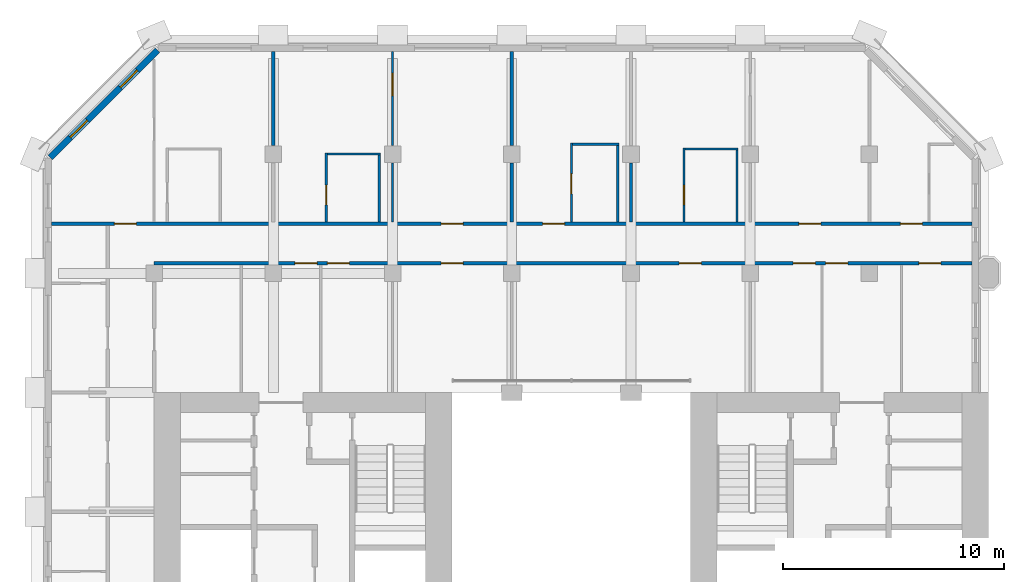
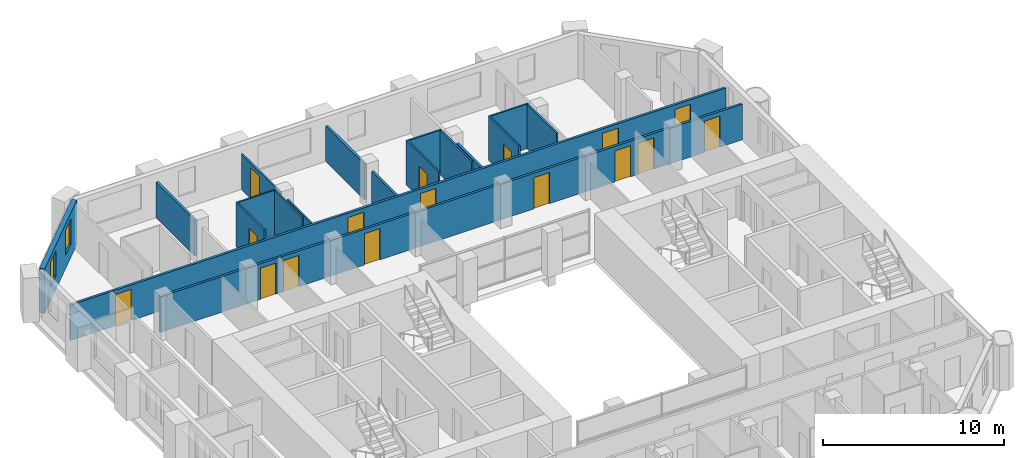
# One storey, part 10 of 13: 18 walls, 16 doors, 2 windows, 18 openings.
"""IFC4 building model written with IfcOpenShell, lengths in metres."""

from ifc_helpers import new_model, si_unit, direction, frame, frame_2d, origin, place, context, subcontext, project, spatial, rectangle, extrude, material, layer, layer_set, type_object, element, fill, save


model = new_model("IFC4")

# Units and contexts
model_context = context("Model", 3, precision=1e-05, world=origin(), true_north=direction((0.0, 1.0)))
body_context = subcontext(model_context, "Body", "Model", "MODEL_VIEW")
ifc_project = project(units=[si_unit("LENGTHUNIT", "METRE"), si_unit("AREAUNIT", "SQUARE_METRE"), si_unit("VOLUMEUNIT", "CUBIC_METRE"), si_unit("PLANEANGLEUNIT", "RADIAN"), si_unit("MASSUNIT", "GRAM", prefix="KILO")], contexts=[model_context])

# Site, building, storey
site_placement = place(None, origin())
site = spatial("IfcSite", under=ifc_project, at=site_placement, CompositionType="ELEMENT")
building_placement = place(site_placement, origin())
building = spatial("IfcBuilding", under=site, at=building_placement, Name="Tabaq Tower and Sports Hall", CompositionType="ELEMENT")
storey_placement = place(building_placement, frame((0.0, 0.0, 210.39990234375)))
storey = spatial("IfcBuildingStorey", under=building, at=storey_placement, Name="L52", CompositionType="ELEMENT", Elevation=210.39990234375)

# Wall, opening, door
ifc_material_1 = material(Name="Gypsum board on steel studs", Category="steel")
ifc_layer_1 = layer(ifc_material_1, 0.10009765625)
ifc_layer_set_1 = layer_set([ifc_layer_1], Name="Partition 100 Gypsum board")
wall_type_1 = type_object("IfcWallType", Name="Partition 100 Gypsum board", PredefinedType="PARTITIONING", material=ifc_layer_set_1)
wall_1_placement = place(storey_placement, frame((29.39990234375, 40.125, 0.0), z_axis=(0.0, 0.0, 1.0), x_axis=(0.0, 1.0, 0.0)))
wall_1 = element("IfcWall", 1, at=wall_1_placement, inside=storey, type_object=wall_type_1, Name="Partition wall L52", PredefinedType="PARTITIONING", context=body_context, shape_type="SweptSolid", body=[
    extrude(rectangle(XDim=3.35009765625, YDim=0.10009765625, at=frame_2d((1.675048828125, 0.0))), origin(), (0.0, 0.0, 1.0), 3.0),
])
opening_1_placement = place(wall_1_placement, frame((0.77197265625, 0.0, 0.0)))
opening_1 = element("IfcOpeningElement", 2, at=opening_1_placement, cuts=wall_1, Name="Opening L52-003", PredefinedType="OPENING", context=body_context, shape_type="SweptSolid", body=[
    extrude(rectangle(XDim=0.89990234375, YDim=2.10009765625, at=frame_2d((0.449951171875, 1.050048828125))), frame((0.0, 0.050048828125, 0.0), z_axis=(0.0, -1.0, 0.0), x_axis=(1.0, 0.0, 0.0)), (0.0, 0.0, 1.0), 0.10009765625),
])
ifc_material_2 = material(Name="Timber leaf in steel frame", Category="steel")
door_type_1 = type_object("IfcDoorType", Name="Internal door 900 left hand", OperationType="SINGLE_SWING_LEFT", PredefinedType="DOOR", material=ifc_material_2)
door_1_placement = place(opening_1_placement, origin())
door_1 = element("IfcDoor", 3, at=door_1_placement, inside=storey, type_object=door_type_1, Name="Internal door L52-003", OperationType="SINGLE_SWING_LEFT", OverallHeight=2.10009765625, OverallWidth=0.89990234375, PredefinedType="DOOR", context=body_context, shape_type="SweptSolid", body=[
    extrude(rectangle(XDim=0.89990234375, YDim=2.10009765625, at=frame_2d((0.449951171875, 1.050048828125))), frame((0.0, 0.02490234375, 0.0), z_axis=(0.0, -1.0, 0.0), x_axis=(1.0, 0.0, 0.0)), (0.0, 0.0, 1.0), 0.050048828125),
])
fill(opening_1, door_1)

# Walls
wall_2_placement = place(storey_placement, frame((29.449951171875, 43.425048828125, 0.0), z_axis=(0.0, 0.0, 1.0), x_axis=(1.0, 0.0, 0.0)))
element("IfcWall", 4, at=wall_2_placement, inside=storey, type_object=wall_type_1, Name="Partition wall L52", PredefinedType="PARTITIONING", context=body_context, shape_type="SweptSolid", body=[
    extrude(rectangle(XDim=2.400146484375, YDim=0.10009765625, at=frame_2d((1.2001953125, 0.0))), origin(), (0.0, 0.0, 1.0), 3.0),
])
wall_3_placement = place(storey_placement, frame((31.800048828125, 43.375, 0.0), z_axis=(0.0, 0.0, 1.0), x_axis=(0.0, -1.0, 0.0)))
element("IfcWall", 5, at=wall_3_placement, inside=storey, type_object=wall_type_1, Name="Partition wall L52", PredefinedType="PARTITIONING", context=body_context, shape_type="SweptSolid", body=[
    extrude(rectangle(XDim=3.25, YDim=0.10009765625, at=frame_2d((1.625, 0.0))), origin(), (0.0, 0.0, 1.0), 3.0),
])

# Wall, opening, door
wall_4_placement = place(storey_placement, frame((24.300048828125, 40.125, 0.0), z_axis=(0.0, 0.0, 1.0), x_axis=(0.0, 1.0, 0.0)))
wall_4 = element("IfcWall", 6, at=wall_4_placement, inside=storey, type_object=wall_type_1, Name="Partition wall L52", PredefinedType="PARTITIONING", context=body_context, shape_type="SweptSolid", body=[
    extrude(rectangle(XDim=3.574951171875, YDim=0.10009765625, at=frame_2d((1.78759765625, 0.0))), origin(), (0.0, 0.0, 1.0), 3.0),
])
opening_2_placement = place(wall_4_placement, frame((1.27490234375, 0.0, 0.0)))
opening_2 = element("IfcOpeningElement", 7, at=opening_2_placement, cuts=wall_4, Name="Opening L52-004", PredefinedType="OPENING", context=body_context, shape_type="SweptSolid", body=[
    extrude(rectangle(XDim=0.89990234375, YDim=2.10009765625, at=frame_2d((0.449951171875, 1.050048828125))), frame((0.0, 0.050048828125, 0.0), z_axis=(0.0, -1.0, 0.0), x_axis=(1.0, 0.0, 0.0)), (0.0, 0.0, 1.0), 0.10009765625),
])
ifc_material_3 = material(Name="Timber leaf in steel frame", Category="steel")
door_type_2 = type_object("IfcDoorType", Name="Internal door 900 right hand", OperationType="SINGLE_SWING_RIGHT", PredefinedType="DOOR", material=ifc_material_3)
door_2_placement = place(opening_2_placement, origin())
door_2 = element("IfcDoor", 8, at=door_2_placement, inside=storey, type_object=door_type_2, Name="Internal door L52-004", OperationType="SINGLE_SWING_RIGHT", OverallHeight=2.10009765625, OverallWidth=0.89990234375, PredefinedType="DOOR", context=body_context, shape_type="SweptSolid", body=[
    extrude(rectangle(XDim=0.89990234375, YDim=2.10009765625, at=frame_2d((0.449951171875, 1.050048828125))), frame((0.0, 0.02490234375, 0.0), z_axis=(0.0, -1.0, 0.0), x_axis=(1.0, 0.0, 0.0)), (0.0, 0.0, 1.0), 0.050048828125),
])
fill(opening_2, door_2)

# Walls
wall_5_placement = place(storey_placement, frame((24.35009765625, 43.64990234375, 0.0), z_axis=(0.0, 0.0, 1.0), x_axis=(1.0, 0.0, 0.0)))
element("IfcWall", 9, at=wall_5_placement, inside=storey, type_object=wall_type_1, Name="Partition wall L52", PredefinedType="PARTITIONING", context=body_context, shape_type="SweptSolid", body=[
    extrude(rectangle(XDim=2.099853515625, YDim=0.10009765625, at=frame_2d((1.0498046875, 0.0))), origin(), (0.0, 0.0, 1.0), 3.0),
])
wall_6_placement = place(storey_placement, frame((26.39990234375, 43.60009765625, 0.0), z_axis=(0.0, 0.0, 1.0), x_axis=(0.0, -1.0, 0.0)))
element("IfcWall", 10, at=wall_6_placement, inside=storey, type_object=wall_type_1, Name="Partition wall L52", PredefinedType="PARTITIONING", context=body_context, shape_type="SweptSolid", body=[
    extrude(rectangle(XDim=3.47509765625, YDim=0.10009765625, at=frame_2d((1.737548828125, 0.0))), origin(), (0.0, 0.0, 1.0), 3.0),
])

# Wall, opening, door
wall_7_placement = place(storey_placement, frame((13.199951171875, 40.125, 0.0), z_axis=(0.0, 0.0, 1.0), x_axis=(0.0, 1.0, 0.0)))
wall_7 = element("IfcWall", 11, at=wall_7_placement, inside=storey, type_object=wall_type_1, Name="Partition wall L52", PredefinedType="PARTITIONING", context=body_context, shape_type="SweptSolid", body=[
    extrude(rectangle(XDim=3.125, YDim=0.10009765625, at=frame_2d((1.5625, 0.0))), origin(), (0.0, 0.0, 1.0), 3.0),
])
opening_3_placement = place(wall_7_placement, frame((0.77490234375, 0.0, 0.0)))
opening_3 = element("IfcOpeningElement", 12, at=opening_3_placement, cuts=wall_7, Name="Opening L52-005", PredefinedType="OPENING", context=body_context, shape_type="SweptSolid", body=[
    extrude(rectangle(XDim=0.89990234375, YDim=2.10009765625, at=frame_2d((0.449951171875, 1.050048828125))), frame((0.0, 0.050048828125, 0.0), z_axis=(0.0, -1.0, 0.0), x_axis=(1.0, 0.0, 0.0)), (0.0, 0.0, 1.0), 0.10009765625),
])
door_3_placement = place(opening_3_placement, origin())
door_3 = element("IfcDoor", 13, at=door_3_placement, inside=storey, type_object=door_type_2, Name="Internal door L52-005", OperationType="SINGLE_SWING_RIGHT", OverallHeight=2.10009765625, OverallWidth=0.89990234375, PredefinedType="DOOR", context=body_context, shape_type="SweptSolid", body=[
    extrude(rectangle(XDim=0.89990234375, YDim=2.10009765625, at=frame_2d((0.449951171875, 1.050048828125))), frame((0.0, 0.02490234375, 0.0), z_axis=(0.0, -1.0, 0.0), x_axis=(1.0, 0.0, 0.0)), (0.0, 0.0, 1.0), 0.050048828125),
])
fill(opening_3, door_3)

# Walls
wall_8_placement = place(storey_placement, frame((13.25, 43.199951171875, 0.0), z_axis=(0.0, 0.0, 1.0), x_axis=(1.0, 0.0, 0.0)))
element("IfcWall", 14, at=wall_8_placement, inside=storey, type_object=wall_type_1, Name="Partition wall L52", PredefinedType="PARTITIONING", context=body_context, shape_type="SweptSolid", body=[
    extrude(rectangle(XDim=2.39990234375, YDim=0.10009765625, at=frame_2d((1.199951171875, 0.0))), origin(), (0.0, 0.0, 1.0), 3.0),
])
wall_9_placement = place(storey_placement, frame((15.60009765625, 43.14990234375, 0.0), z_axis=(0.0, 0.0, 1.0), x_axis=(0.0, -1.0, 0.0)))
element("IfcWall", 15, at=wall_9_placement, inside=storey, type_object=wall_type_1, Name="Partition wall L52", PredefinedType="PARTITIONING", context=body_context, shape_type="SweptSolid", body=[
    extrude(rectangle(XDim=3.02490234375, YDim=0.10009765625, at=frame_2d((1.512451171875, 0.0))), origin(), (0.0, 0.0, 1.0), 3.0),
])
wall_10_placement = place(storey_placement, frame((16.199951171875, 40.125, 0.0), z_axis=(0.0, 0.0, 1.0), x_axis=(0.0, 1.0, 0.0)))
element("IfcWall", 16, at=wall_10_placement, inside=storey, type_object=wall_type_1, Name="Partition wall L52", PredefinedType="PARTITIONING", context=body_context, shape_type="SweptSolid", body=[
    extrude(rectangle(XDim=2.679931640625, YDim=0.10009765625, at=frame_2d((1.33984375, 0.0))), origin(), (0.0, 0.0, 1.0), 2.400146484375),
])

# Wall, opening, door
wall_11_placement = place(storey_placement, frame((16.199951171875, 43.594970703125, 0.0), z_axis=(0.0, 0.0, 1.0), x_axis=(0.0, 1.0, 0.0)))
wall_11 = element("IfcWall", 17, at=wall_11_placement, inside=storey, type_object=wall_type_1, Name="Partition wall L52", PredefinedType="PARTITIONING", context=body_context, shape_type="SweptSolid", body=[
    extrude(rectangle(XDim=4.254150390625, YDim=0.10009765625, at=frame_2d((2.126953125, 0.0))), origin(), (0.0, 0.0, 1.0), 2.400146484375),
])
opening_4_placement = place(wall_11_placement, frame((2.257080078125, 0.0, 0.0)))
opening_4 = element("IfcOpeningElement", 18, at=opening_4_placement, cuts=wall_11, Name="Opening L52-032", PredefinedType="OPENING", context=body_context, shape_type="SweptSolid", body=[
    extrude(rectangle(XDim=1.0, YDim=2.10009765625, at=frame_2d((0.5, 1.050048828125))), frame((0.0, 0.050048828125, 0.0), z_axis=(0.0, -1.0, 0.0), x_axis=(1.0, 0.0, 0.0)), (0.0, 0.0, 1.0), 0.10009765625),
])
ifc_material_4 = material(Name="Timber leaf in steel frame", Category="steel")
door_type_3 = type_object("IfcDoorType", Name="Internal door 1000 right hand", OperationType="SINGLE_SWING_RIGHT", PredefinedType="DOOR", material=ifc_material_4)
door_4_placement = place(opening_4_placement, origin())
door_4 = element("IfcDoor", 19, at=door_4_placement, inside=storey, type_object=door_type_3, Name="Internal door L52-032", OperationType="SINGLE_SWING_RIGHT", OverallHeight=2.10009765625, OverallWidth=1.0, PredefinedType="DOOR", context=body_context, shape_type="SweptSolid", body=[
    extrude(rectangle(XDim=1.0, YDim=2.10009765625, at=frame_2d((0.5, 1.050048828125))), frame((0.0, 0.02490234375, 0.0), z_axis=(0.0, -1.0, 0.0), x_axis=(1.0, 0.0, 0.0)), (0.0, 0.0, 1.0), 0.050048828125),
])
fill(opening_4, door_4)

# Walls
ifc_material_5 = material(Name="Blockwork", Category="masonry")
ifc_layer_2 = layer(ifc_material_5, 0.14990234375)
ifc_layer_set_2 = layer_set([ifc_layer_2], Name="Separating wall 150 Blockwork")
wall_type_2 = type_object("IfcWallType", Name="Separating wall 150 Blockwork", PredefinedType="PARTITIONING", material=ifc_layer_set_2)
wall_12_placement = place(storey_placement, frame((27.0, 42.804931640625, 0.0), z_axis=(0.0, 0.0, 1.0), x_axis=(0.0, -1.0, 0.0)))
element("IfcWall", 20, at=wall_12_placement, inside=storey, type_object=wall_type_2, Name="Separating wall L52", PredefinedType="PARTITIONING", context=body_context, shape_type="SweptSolid", body=[
    extrude(rectangle(XDim=2.679931640625, YDim=0.14990234375, at=frame_2d((1.33984375, 0.0))), origin(), (0.0, 0.0, 1.0), 2.400146484375),
])
wall_13_placement = place(storey_placement, frame((21.60009765625, 47.84912109375, 0.0), z_axis=(0.0, 0.0, 1.0), x_axis=(0.0, -1.0, 0.0)))
element("IfcWall", 21, at=wall_13_placement, inside=storey, type_object=wall_type_2, Name="Separating wall L52", PredefinedType="PARTITIONING", context=body_context, shape_type="SweptSolid", body=[
    extrude(rectangle(XDim=4.254150390625, YDim=0.14990234375, at=frame_2d((2.126953125, 0.0))), origin(), (0.0, 0.0, 1.0), 2.400146484375),
])
wall_14_placement = place(storey_placement, frame((21.60009765625, 42.804931640625, 0.0), z_axis=(0.0, 0.0, 1.0), x_axis=(0.0, -1.0, 0.0)))
element("IfcWall", 22, at=wall_14_placement, inside=storey, type_object=wall_type_2, Name="Separating wall L52", PredefinedType="PARTITIONING", context=body_context, shape_type="SweptSolid", body=[
    extrude(rectangle(XDim=2.679931640625, YDim=0.14990234375, at=frame_2d((1.33984375, 0.0))), origin(), (0.0, 0.0, 1.0), 2.400146484375),
])
wall_15_placement = place(storey_placement, frame((10.800048828125, 47.84912109375, 0.0), z_axis=(0.0, 0.0, 1.0), x_axis=(0.0, -1.0, 0.0)))
element("IfcWall", 23, at=wall_15_placement, inside=storey, type_object=wall_type_2, Name="Separating wall L52", PredefinedType="PARTITIONING", context=body_context, shape_type="SweptSolid", body=[
    extrude(rectangle(XDim=4.254150390625, YDim=0.14990234375, at=frame_2d((2.126953125, 0.0))), origin(), (0.0, 0.0, 1.0), 2.400146484375),
])

# Wall, openings, doors
wall_16_placement = place(storey_placement, frame((42.448974609375, 40.050048828125, 0.0), z_axis=(0.0, 0.0, 1.0), x_axis=(-1.0, 0.0, 0.0)))
wall_16 = element("IfcWall", 24, at=wall_16_placement, inside=storey, type_object=wall_type_2, Name="Separating wall L52", PredefinedType="PARTITIONING", context=body_context, shape_type="SweptSolid", body=[
    extrude(rectangle(XDim=41.697998046875, YDim=0.14990234375, at=frame_2d((20.84912109375, 0.0))), origin(), (0.0, 0.0, 1.0), 2.400146484375),
])
opening_5_placement = place(wall_16_placement, frame((2.2490234375, 0.0, 0.0)))
opening_5 = element("IfcOpeningElement", 25, at=opening_5_placement, cuts=wall_16, Name="Opening L52-028", PredefinedType="OPENING", context=body_context, shape_type="SweptSolid", body=[
    extrude(rectangle(XDim=1.0, YDim=2.10009765625, at=frame_2d((0.5, 1.050048828125))), frame((0.0, 0.074951171875, 0.0), z_axis=(0.0, -1.0, 0.0), x_axis=(1.0, 0.0, 0.0)), (0.0, 0.0, 1.0), 0.14990234375),
])
opening_6_placement = place(wall_16_placement, frame((6.84912109375, 0.0, 0.0)))
opening_6 = element("IfcOpeningElement", 26, at=opening_6_placement, cuts=wall_16, Name="Opening L52-030", PredefinedType="OPENING", context=body_context, shape_type="SweptSolid", body=[
    extrude(rectangle(XDim=1.0, YDim=2.10009765625, at=frame_2d((0.5, 1.050048828125))), frame((0.0, 0.074951171875, 0.0), z_axis=(0.0, -1.0, 0.0), x_axis=(1.0, 0.0, 0.0)), (0.0, 0.0, 1.0), 0.14990234375),
])
opening_7_placement = place(wall_16_placement, frame((18.448974609375, 0.0, 0.0)))
opening_7 = element("IfcOpeningElement", 27, at=opening_7_placement, cuts=wall_16, Name="Opening L52-031", PredefinedType="OPENING", context=body_context, shape_type="SweptSolid", body=[
    extrude(rectangle(XDim=1.0, YDim=2.10009765625, at=frame_2d((0.5, 1.050048828125))), frame((0.0, 0.074951171875, 0.0), z_axis=(0.0, -1.0, 0.0), x_axis=(1.0, 0.0, 0.0)), (0.0, 0.0, 1.0), 0.14990234375),
])
opening_8_placement = place(wall_16_placement, frame((23.049072265625, 0.0, 0.0)))
opening_8 = element("IfcOpeningElement", 28, at=opening_8_placement, cuts=wall_16, Name="Opening L52-033", PredefinedType="OPENING", context=body_context, shape_type="SweptSolid", body=[
    extrude(rectangle(XDim=1.0, YDim=2.10009765625, at=frame_2d((0.5, 1.050048828125))), frame((0.0, 0.074951171875, 0.0), z_axis=(0.0, -1.0, 0.0), x_axis=(1.0, 0.0, 0.0)), (0.0, 0.0, 1.0), 0.14990234375),
])
opening_9_placement = place(wall_16_placement, frame((37.84912109375, 0.0, 0.0)))
opening_9 = element("IfcOpeningElement", 29, at=opening_9_placement, cuts=wall_16, Name="Opening L52-035", PredefinedType="OPENING", context=body_context, shape_type="SweptSolid", body=[
    extrude(rectangle(XDim=1.0, YDim=2.10009765625, at=frame_2d((0.5, 1.050048828125))), frame((0.0, 0.074951171875, 0.0), z_axis=(0.0, -1.0, 0.0), x_axis=(1.0, 0.0, 0.0)), (0.0, 0.0, 1.0), 0.14990234375),
])
ifc_material_6 = material(Name="Steel fire door", Category="steel")
door_type_4 = type_object("IfcDoorType", Name="Entrance door 1000 left hand", OperationType="SINGLE_SWING_LEFT", PredefinedType="DOOR", material=ifc_material_6)
door_5_placement = place(opening_5_placement, origin())
door_5 = element("IfcDoor", 30, at=door_5_placement, inside=storey, type_object=door_type_4, Name="Entrance door L52-028", OperationType="SINGLE_SWING_LEFT", OverallHeight=2.10009765625, OverallWidth=1.0, PredefinedType="DOOR", context=body_context, shape_type="SweptSolid", body=[
    extrude(rectangle(XDim=1.0, YDim=2.10009765625, at=frame_2d((0.5, 1.050048828125))), frame((0.0, 0.02490234375, 0.0), z_axis=(0.0, -1.0, 0.0), x_axis=(1.0, 0.0, 0.0)), (0.0, 0.0, 1.0), 0.050048828125),
])
fill(opening_5, door_5)
door_6_placement = place(opening_6_placement, origin())
door_6 = element("IfcDoor", 31, at=door_6_placement, inside=storey, type_object=door_type_4, Name="Entrance door L52-030", OperationType="SINGLE_SWING_LEFT", OverallHeight=2.10009765625, OverallWidth=1.0, PredefinedType="DOOR", context=body_context, shape_type="SweptSolid", body=[
    extrude(rectangle(XDim=1.0, YDim=2.10009765625, at=frame_2d((0.5, 1.050048828125))), frame((0.0, 0.02490234375, 0.0), z_axis=(0.0, -1.0, 0.0), x_axis=(1.0, 0.0, 0.0)), (0.0, 0.0, 1.0), 0.050048828125),
])
fill(opening_6, door_6)
ifc_material_7 = material(Name="Steel fire door", Category="steel")
door_type_5 = type_object("IfcDoorType", Name="Entrance door 1000 right hand", OperationType="SINGLE_SWING_RIGHT", PredefinedType="DOOR", material=ifc_material_7)
door_7_placement = place(opening_7_placement, origin())
door_7 = element("IfcDoor", 32, at=door_7_placement, inside=storey, type_object=door_type_5, Name="Entrance door L52-031", OperationType="SINGLE_SWING_RIGHT", OverallHeight=2.10009765625, OverallWidth=1.0, PredefinedType="DOOR", context=body_context, shape_type="SweptSolid", body=[
    extrude(rectangle(XDim=1.0, YDim=2.10009765625, at=frame_2d((0.5, 1.050048828125))), frame((0.0, 0.02490234375, 0.0), z_axis=(0.0, -1.0, 0.0), x_axis=(1.0, 0.0, 0.0)), (0.0, 0.0, 1.0), 0.050048828125),
])
fill(opening_7, door_7)
door_8_placement = place(opening_8_placement, origin())
door_8 = element("IfcDoor", 33, at=door_8_placement, inside=storey, type_object=door_type_5, Name="Entrance door L52-033", OperationType="SINGLE_SWING_RIGHT", OverallHeight=2.10009765625, OverallWidth=1.0, PredefinedType="DOOR", context=body_context, shape_type="SweptSolid", body=[
    extrude(rectangle(XDim=1.0, YDim=2.10009765625, at=frame_2d((0.5, 1.050048828125))), frame((0.0, 0.02490234375, 0.0), z_axis=(0.0, -1.0, 0.0), x_axis=(1.0, 0.0, 0.0)), (0.0, 0.0, 1.0), 0.050048828125),
])
fill(opening_8, door_8)
door_9_placement = place(opening_9_placement, origin())
door_9 = element("IfcDoor", 34, at=door_9_placement, inside=storey, type_object=door_type_5, Name="Entrance door L52-035", OperationType="SINGLE_SWING_RIGHT", OverallHeight=2.10009765625, OverallWidth=1.0, PredefinedType="DOOR", context=body_context, shape_type="SweptSolid", body=[
    extrude(rectangle(XDim=1.0, YDim=2.10009765625, at=frame_2d((0.5, 1.050048828125))), frame((0.0, 0.02490234375, 0.0), z_axis=(0.0, -1.0, 0.0), x_axis=(1.0, 0.0, 0.0)), (0.0, 0.0, 1.0), 0.050048828125),
])
fill(opening_9, door_9)

wall_17_placement = place(storey_placement, frame((42.448974609375, 38.25, 0.0), z_axis=(0.0, 0.0, 1.0), x_axis=(-1.0, 0.0, 0.0)))
wall_17 = element("IfcWall", 35, at=wall_17_placement, inside=storey, type_object=wall_type_2, Name="Separating wall L52", PredefinedType="PARTITIONING", context=body_context, shape_type="SweptSolid", body=[
    extrude(rectangle(XDim=37.049072265625, YDim=0.14990234375, at=frame_2d((18.5244140625, 0.0))), origin(), (0.0, 0.0, 1.0), 2.400146484375),
])
opening_10_placement = place(wall_17_placement, frame((12.26611328125, 0.0, 0.0)))
opening_10 = element("IfcOpeningElement", 36, at=opening_10_placement, cuts=wall_17, Name="Opening L52-007", PredefinedType="OPENING", context=body_context, shape_type="SweptSolid", body=[
    extrude(rectangle(XDim=1.0, YDim=2.10009765625, at=frame_2d((0.5, 1.050048828125))), frame((0.0, 0.074951171875, 0.0), z_axis=(0.0, -1.0, 0.0), x_axis=(1.0, 0.0, 0.0)), (0.0, 0.0, 1.0), 0.14990234375),
])
opening_11_placement = place(wall_17_placement, frame((23.049072265625, 0.0, 0.0)))
opening_11 = element("IfcOpeningElement", 37, at=opening_11_placement, cuts=wall_17, Name="Opening L52-008", PredefinedType="OPENING", context=body_context, shape_type="SweptSolid", body=[
    extrude(rectangle(XDim=1.0, YDim=2.10009765625, at=frame_2d((0.5, 1.050048828125))), frame((0.0, 0.074951171875, 0.0), z_axis=(0.0, -1.0, 0.0), x_axis=(1.0, 0.0, 0.0)), (0.0, 0.0, 1.0), 0.14990234375),
])
opening_12_placement = place(wall_17_placement, frame((1.408935546875, 0.0, 0.0)))
opening_12 = element("IfcOpeningElement", 38, at=opening_12_placement, cuts=wall_17, Name="Opening L52-010", PredefinedType="OPENING", context=body_context, shape_type="SweptSolid", body=[
    extrude(rectangle(XDim=1.0, YDim=2.10009765625, at=frame_2d((0.5, 1.050048828125))), frame((0.0, 0.074951171875, 0.0), z_axis=(0.0, -1.0, 0.0), x_axis=(1.0, 0.0, 0.0)), (0.0, 0.0, 1.0), 0.14990234375),
])
opening_13_placement = place(wall_17_placement, frame((28.198974609375, 0.0, 0.0)))
opening_13 = element("IfcOpeningElement", 39, at=opening_13_placement, cuts=wall_17, Name="Opening L52-011", PredefinedType="OPENING", context=body_context, shape_type="SweptSolid", body=[
    extrude(rectangle(XDim=1.0, YDim=2.10009765625, at=frame_2d((0.5, 1.050048828125))), frame((0.0, 0.074951171875, 0.0), z_axis=(0.0, -1.0, 0.0), x_axis=(1.0, 0.0, 0.0)), (0.0, 0.0, 1.0), 0.14990234375),
])
opening_14_placement = place(wall_17_placement, frame((7.09912109375, 0.0, 0.0)))
opening_14 = element("IfcOpeningElement", 40, at=opening_14_placement, cuts=wall_17, Name="Opening L52-013", PredefinedType="OPENING", context=body_context, shape_type="SweptSolid", body=[
    extrude(rectangle(XDim=1.0, YDim=2.10009765625, at=frame_2d((0.5, 1.050048828125))), frame((0.0, 0.074951171875, 0.0), z_axis=(0.0, -1.0, 0.0), x_axis=(1.0, 0.0, 0.0)), (0.0, 0.0, 1.0), 0.14990234375),
])
opening_15_placement = place(wall_17_placement, frame((5.62890625, 0.0, 0.0)))
opening_15 = element("IfcOpeningElement", 41, at=opening_15_placement, cuts=wall_17, Name="Opening L52-036", PredefinedType="OPENING", context=body_context, shape_type="SweptSolid", body=[
    extrude(rectangle(XDim=1.0, YDim=2.10009765625, at=frame_2d((0.5, 1.050048828125))), frame((0.0, 0.074951171875, 0.0), z_axis=(0.0, -1.0, 0.0), x_axis=(1.0, 0.0, 0.0)), (0.0, 0.0, 1.0), 0.14990234375),
])
opening_16_placement = place(wall_17_placement, frame((29.6689453125, 0.0, 0.0)))
opening_16 = element("IfcOpeningElement", 42, at=opening_16_placement, cuts=wall_17, Name="Opening L52-037", PredefinedType="OPENING", context=body_context, shape_type="SweptSolid", body=[
    extrude(rectangle(XDim=1.0, YDim=2.10009765625, at=frame_2d((0.5, 1.050048828125))), frame((0.0, 0.074951171875, 0.0), z_axis=(0.0, -1.0, 0.0), x_axis=(1.0, 0.0, 0.0)), (0.0, 0.0, 1.0), 0.14990234375),
])
ifc_material_8 = material(Name="Timber leaf in steel frame", Category="steel")
door_type_6 = type_object("IfcDoorType", Name="Internal door 1000 left hand", OperationType="SINGLE_SWING_LEFT", PredefinedType="DOOR", material=ifc_material_8)
door_10_placement = place(opening_11_placement, origin())
door_10 = element("IfcDoor", 43, at=door_10_placement, inside=storey, type_object=door_type_6, Name="Internal door L52-008", OperationType="SINGLE_SWING_LEFT", OverallHeight=2.10009765625, OverallWidth=1.0, PredefinedType="DOOR", context=body_context, shape_type="SweptSolid", body=[
    extrude(rectangle(XDim=1.0, YDim=2.10009765625, at=frame_2d((0.5, 1.050048828125))), frame((0.0, 0.02490234375, 0.0), z_axis=(0.0, -1.0, 0.0), x_axis=(1.0, 0.0, 0.0)), (0.0, 0.0, 1.0), 0.050048828125),
])
fill(opening_11, door_10)
door_11_placement = place(opening_12_placement, origin())
door_11 = element("IfcDoor", 44, at=door_11_placement, inside=storey, type_object=door_type_6, Name="Internal door L52-010", OperationType="SINGLE_SWING_LEFT", OverallHeight=2.10009765625, OverallWidth=1.0, PredefinedType="DOOR", context=body_context, shape_type="SweptSolid", body=[
    extrude(rectangle(XDim=1.0, YDim=2.10009765625, at=frame_2d((0.5, 1.050048828125))), frame((0.0, 0.02490234375, 0.0), z_axis=(0.0, -1.0, 0.0), x_axis=(1.0, 0.0, 0.0)), (0.0, 0.0, 1.0), 0.050048828125),
])
fill(opening_12, door_11)
door_12_placement = place(opening_13_placement, origin())
door_12 = element("IfcDoor", 45, at=door_12_placement, inside=storey, type_object=door_type_6, Name="Internal door L52-011", OperationType="SINGLE_SWING_LEFT", OverallHeight=2.10009765625, OverallWidth=1.0, PredefinedType="DOOR", context=body_context, shape_type="SweptSolid", body=[
    extrude(rectangle(XDim=1.0, YDim=2.10009765625, at=frame_2d((0.5, 1.050048828125))), frame((0.0, 0.02490234375, 0.0), z_axis=(0.0, -1.0, 0.0), x_axis=(1.0, 0.0, 0.0)), (0.0, 0.0, 1.0), 0.050048828125),
])
fill(opening_13, door_12)
door_13_placement = place(opening_16_placement, origin())
door_13 = element("IfcDoor", 46, at=door_13_placement, inside=storey, type_object=door_type_6, Name="Internal door L52-037", OperationType="SINGLE_SWING_LEFT", OverallHeight=2.10009765625, OverallWidth=1.0, PredefinedType="DOOR", context=body_context, shape_type="SweptSolid", body=[
    extrude(rectangle(XDim=1.0, YDim=2.10009765625, at=frame_2d((0.5, 1.050048828125))), frame((0.0, 0.02490234375, 0.0), z_axis=(0.0, -1.0, 0.0), x_axis=(1.0, 0.0, 0.0)), (0.0, 0.0, 1.0), 0.050048828125),
])
fill(opening_16, door_13)
door_14_placement = place(opening_10_placement, origin())
door_14 = element("IfcDoor", 47, at=door_14_placement, inside=storey, type_object=door_type_3, Name="Internal door L52-007", OperationType="SINGLE_SWING_RIGHT", OverallHeight=2.10009765625, OverallWidth=1.0, PredefinedType="DOOR", context=body_context, shape_type="SweptSolid", body=[
    extrude(rectangle(XDim=1.0, YDim=2.10009765625, at=frame_2d((0.5, 1.050048828125))), frame((0.0, 0.02490234375, 0.0), z_axis=(0.0, -1.0, 0.0), x_axis=(1.0, 0.0, 0.0)), (0.0, 0.0, 1.0), 0.050048828125),
])
fill(opening_10, door_14)
door_15_placement = place(opening_14_placement, origin())
door_15 = element("IfcDoor", 48, at=door_15_placement, inside=storey, type_object=door_type_3, Name="Internal door L52-013", OperationType="SINGLE_SWING_RIGHT", OverallHeight=2.10009765625, OverallWidth=1.0, PredefinedType="DOOR", context=body_context, shape_type="SweptSolid", body=[
    extrude(rectangle(XDim=1.0, YDim=2.10009765625, at=frame_2d((0.5, 1.050048828125))), frame((0.0, 0.02490234375, 0.0), z_axis=(0.0, -1.0, 0.0), x_axis=(1.0, 0.0, 0.0)), (0.0, 0.0, 1.0), 0.050048828125),
])
fill(opening_14, door_15)
door_16_placement = place(opening_15_placement, origin())
door_16 = element("IfcDoor", 49, at=door_16_placement, inside=storey, type_object=door_type_3, Name="Internal door L52-036", OperationType="SINGLE_SWING_RIGHT", OverallHeight=2.10009765625, OverallWidth=1.0, PredefinedType="DOOR", context=body_context, shape_type="SweptSolid", body=[
    extrude(rectangle(XDim=1.0, YDim=2.10009765625, at=frame_2d((0.5, 1.050048828125))), frame((0.0, 0.02490234375, 0.0), z_axis=(0.0, -1.0, 0.0), x_axis=(1.0, 0.0, 0.0)), (0.0, 0.0, 1.0), 0.050048828125),
])
fill(opening_15, door_16)

# Wall, openings, windows
ifc_material_9 = material(Name="White precast concrete C60/75", Category="concrete")
ifc_layer_3 = layer(ifc_material_9, 0.300048828125)
ifc_layer_set_3 = layer_set([ifc_layer_3], Name="White precast concrete C60/75 external wall 300")
wall_type_3 = type_object("IfcWallType", Name="White precast concrete C60/75 external wall 300", PredefinedType="SOLIDWALL", material=ifc_layer_set_3)
wall_18_placement = place(storey_placement, frame((5.549560546875, 47.901123046875, 0.0), z_axis=(0.0, 0.0, 1.0), x_axis=(-0.707106781187, -0.707106781187, 0.0)))
wall_18 = element("IfcWall", 50, at=wall_18_placement, inside=storey, type_object=wall_type_3, Name="External Wall L52 NW", PredefinedType="SOLIDWALL", context=body_context, shape_type="SweptSolid", body=[
    extrude(rectangle(XDim=6.85986328125, YDim=0.300048828125, at=frame_2d((3.429931640625, 0.0))), origin(), (0.0, 0.0, 1.0), 3.0),
])
opening_17_placement = place(wall_18_placement, frame((1.27978515625, 0.0, 0.89990234375)))
opening_17 = element("IfcOpeningElement", 51, at=opening_17_placement, cuts=wall_18, Name="Opening W1B", PredefinedType="OPENING", context=body_context, shape_type="SweptSolid", body=[
    extrude(rectangle(XDim=1.10009765625, YDim=1.699951171875, at=frame_2d((0.550048828125, 0.85009765625))), frame((0.0, 0.16015625, 0.0), z_axis=(0.0, -1.0, 0.0), x_axis=(1.0, 0.0, 0.0)), (0.0, 0.0, 1.0), 0.320068359375),
])
opening_18_placement = place(wall_18_placement, frame((4.479736328125, 0.0, 0.89990234375)))
opening_18 = element("IfcOpeningElement", 52, at=opening_18_placement, cuts=wall_18, Name="Opening W1B", PredefinedType="OPENING", context=body_context, shape_type="SweptSolid", body=[
    extrude(rectangle(XDim=1.10009765625, YDim=1.699951171875, at=frame_2d((0.550048828125, 0.85009765625))), frame((0.0, 0.16015625, 0.0), z_axis=(0.0, -1.0, 0.0), x_axis=(1.0, 0.0, 0.0)), (0.0, 0.0, 1.0), 0.320068359375),
])
ifc_material_10 = material(Name="Aluminium framed clear glazing", Category="aluminium")
window_type = type_object("IfcWindowType", Name="Window W1B", PartitioningType="SINGLE_PANEL", PredefinedType="WINDOW", material=ifc_material_10)
window_1_placement = place(opening_17_placement, origin())
window_1 = element("IfcWindow", 53, at=window_1_placement, inside=storey, type_object=window_type, Name="Window W1B L52", OverallHeight=1.699951171875, OverallWidth=1.10009765625, PartitioningType="SINGLE_PANEL", PredefinedType="WINDOW", context=body_context, shape_type="SweptSolid", body=[
    extrude(rectangle(XDim=1.10009765625, YDim=1.699951171875, at=frame_2d((0.550048828125, 0.85009765625))), frame((0.0, 0.030029296875, 0.0), z_axis=(0.0, -1.0, 0.0), x_axis=(1.0, 0.0, 0.0)), (0.0, 0.0, 1.0), 0.06005859375),
])
fill(opening_17, window_1)
window_2_placement = place(opening_18_placement, origin())
window_2 = element("IfcWindow", 54, at=window_2_placement, inside=storey, type_object=window_type, Name="Window W1B L52", OverallHeight=1.699951171875, OverallWidth=1.10009765625, PartitioningType="SINGLE_PANEL", PredefinedType="WINDOW", context=body_context, shape_type="SweptSolid", body=[
    extrude(rectangle(XDim=1.10009765625, YDim=1.699951171875, at=frame_2d((0.550048828125, 0.85009765625))), frame((0.0, 0.030029296875, 0.0), z_axis=(0.0, -1.0, 0.0), x_axis=(1.0, 0.0, 0.0)), (0.0, 0.0, 1.0), 0.06005859375),
])
fill(opening_18, window_2)

save(model, "model.ifc")
